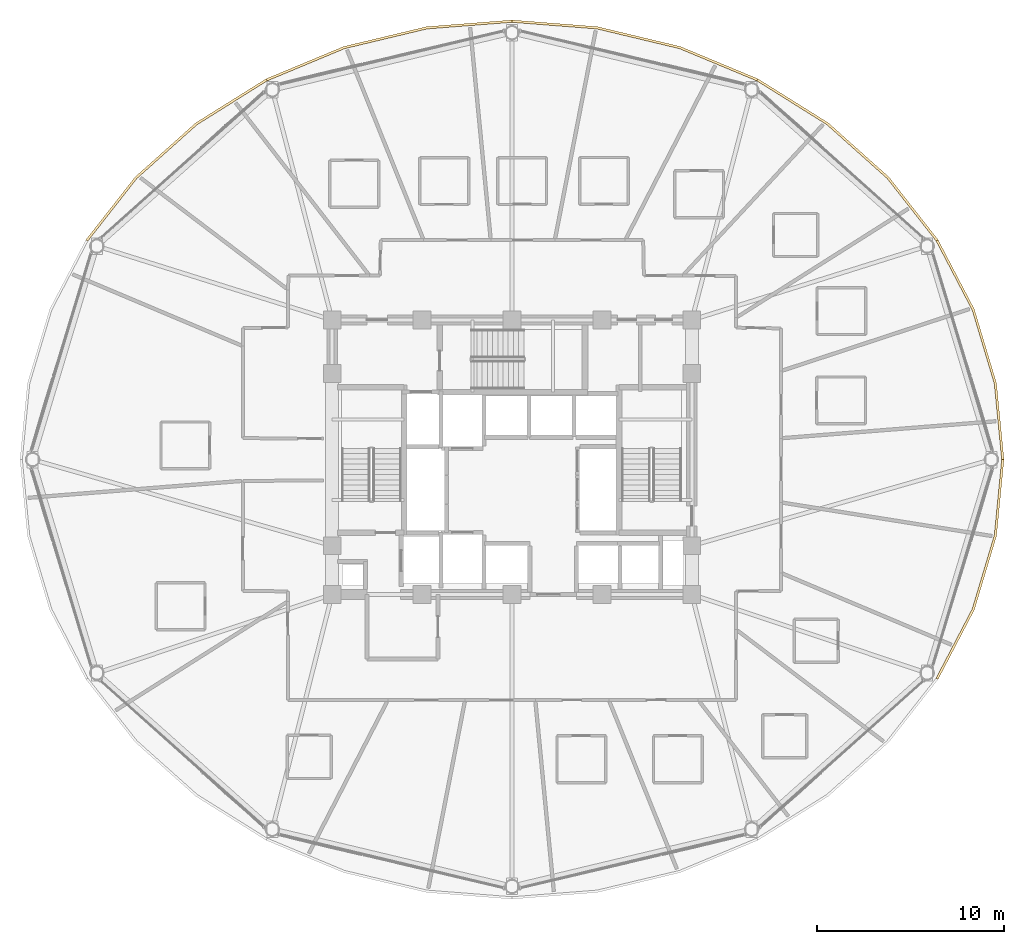
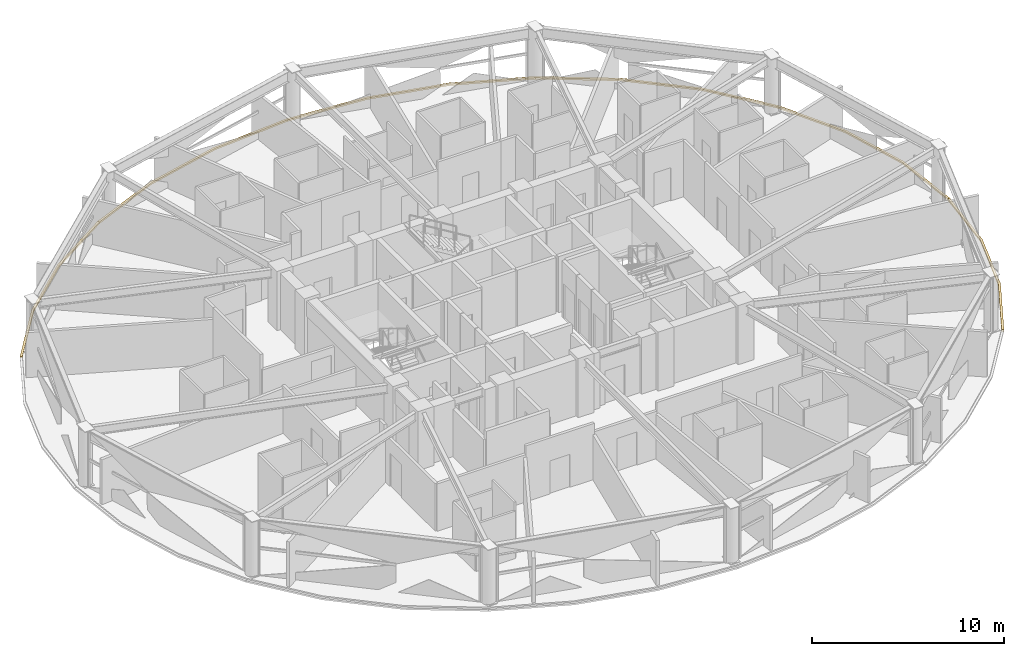
# One storey, part 32 of 32: 6 coverings.
"""IFC4 building model written with IfcOpenShell, lengths in metres."""

from ifc_helpers import new_model, si_unit, direction, frame, origin, place, context, subcontext, project, spatial, polyline, outline, extrude, material, layer, layer_set, type_object, element, save


model = new_model("IFC4")

# Units and contexts
model_context = context("Model", 3, precision=1e-05, world=origin(), true_north=direction((0.0, 1.0)))
body_context = subcontext(model_context, "Body", "Model", "MODEL_VIEW")
ifc_project = project(units=[si_unit("LENGTHUNIT", "METRE"), si_unit("AREAUNIT", "SQUARE_METRE"), si_unit("VOLUMEUNIT", "CUBIC_METRE"), si_unit("PLANEANGLEUNIT", "RADIAN"), si_unit("MASSUNIT", "GRAM", prefix="KILO")], contexts=[model_context])

# Site, building, storey
site_placement = place(None, origin())
site = spatial("IfcSite", under=ifc_project, at=site_placement, CompositionType="ELEMENT")
building_placement = place(site_placement, origin())
building = spatial("IfcBuilding", under=site, at=building_placement, Name="Vantalir Tower", CompositionType="ELEMENT")
storey_placement = place(building_placement, frame((0.0, 0.0, 100.949951171875)))
storey = spatial("IfcBuildingStorey", under=building, at=storey_placement, Name="L24", CompositionType="ELEMENT", Elevation=100.949951171875)

# Coverings
ifc_material = material(Name="Anodised champagne aluminium sill fascia", Category="aluminium")
ifc_layer = layer(ifc_material, 0.125)
ifc_layer_set = layer_set([ifc_layer], Name="Anodised champagne aluminium sill fascia")
covering_type = type_object("IfcCoveringType", Name="COV-SLAB-FASCIA-125", PredefinedType="CLADDING", material=ifc_layer_set)
covering_1_placement = place(storey_placement, frame((0.0, 0.0, -0.179931640625)))
element("IfcCovering", 1, at=covering_1_placement, inside=storey, type_object=covering_type, Name="L24 Perimeter Slab-Edge Sill Fascia 01", PredefinedType="CLADDING", context=body_context, shape_type="SweptSolid", body=[
    extrude(outline(polyline([(57.762939453125, 25.0), (57.364013671875, 29.073974609375), (56.178955078125, 33.02490234375), (54.243896484375, 36.73095703125), (54.135986328125, 36.6689453125), (56.06201171875, 32.98193359375), (57.240966796875, 29.052978515625), (57.637939453125, 25.0), (57.762939453125, 25.0)])), origin(), (0.0, 0.0, 1.0), 0.10498046875),
])
covering_2_placement = place(storey_placement, frame((0.0, 0.0, -0.179931640625)))
element("IfcCovering", 2, at=covering_2_placement, inside=storey, type_object=covering_type, Name="L24 Perimeter Slab-Edge Sill Fascia 02", PredefinedType="CLADDING", context=body_context, shape_type="SweptSolid", body=[
    extrude(outline(polyline([(54.243896484375, 36.73095703125), (51.618896484375, 40.08203125), (48.382080078125, 42.97412109375), (44.632080078125, 45.320068359375), (44.569091796875, 45.2109375), (48.301025390625, 42.8779296875), (51.52294921875, 40.0009765625), (54.135986328125, 36.6689453125), (54.243896484375, 36.73095703125)])), origin(), (0.0, 0.0, 1.0), 0.10498046875),
])
covering_3_placement = place(storey_placement, frame((0.0, 0.0, -0.179931640625)))
element("IfcCovering", 3, at=covering_3_placement, inside=storey, type_object=covering_type, Name="L24 Perimeter Slab-Edge Sill Fascia 03", PredefinedType="CLADDING", context=body_context, shape_type="SweptSolid", body=[
    extrude(outline(polyline([(44.632080078125, 45.320068359375), (40.48193359375, 47.048095703125), (36.06103515625, 48.10693359375), (31.5, 48.462890625), (31.5, 48.337890625), (36.0390625, 47.98291015625), (40.43994140625, 46.930908203125), (44.569091796875, 45.2109375), (44.632080078125, 45.320068359375)])), origin(), (0.0, 0.0, 1.0), 0.10498046875),
])
covering_4_placement = place(storey_placement, frame((0.0, 0.0, -0.179931640625)))
element("IfcCovering", 4, at=covering_4_placement, inside=storey, type_object=covering_type, Name="L24 Perimeter Slab-Edge Sill Fascia 04", PredefinedType="CLADDING", context=body_context, shape_type="SweptSolid", body=[
    extrude(outline(polyline([(31.5, 48.462890625), (26.93896484375, 48.10693359375), (22.51806640625, 47.048095703125), (18.368896484375, 45.320068359375), (18.430908203125, 45.2109375), (22.56005859375, 46.930908203125), (26.9609375, 47.98291015625), (31.5, 48.337890625), (31.5, 48.462890625)])), origin(), (0.0, 0.0, 1.0), 0.10498046875),
])
covering_5_placement = place(storey_placement, frame((0.0, 0.0, -0.179931640625)))
element("IfcCovering", 5, at=covering_5_placement, inside=storey, type_object=covering_type, Name="L24 Perimeter Slab-Edge Sill Fascia 05", PredefinedType="CLADDING", context=body_context, shape_type="SweptSolid", body=[
    extrude(outline(polyline([(18.368896484375, 45.320068359375), (14.617919921875, 42.97412109375), (11.381103515625, 40.08203125), (8.756103515625, 36.73095703125), (8.864013671875, 36.6689453125), (11.47705078125, 40.0009765625), (14.698974609375, 42.8779296875), (18.430908203125, 45.2109375), (18.368896484375, 45.320068359375)])), origin(), (0.0, 0.0, 1.0), 0.10498046875),
])
covering_6_placement = place(storey_placement, frame((0.0, 0.0, -0.179931640625)))
element("IfcCovering", 6, at=covering_6_placement, inside=storey, type_object=covering_type, Name="L24 Perimeter Slab-Edge Sill Fascia 12", PredefinedType="CLADDING", context=body_context, shape_type="SweptSolid", body=[
    extrude(outline(polyline([(54.243896484375, 13.26806640625), (56.178955078125, 16.97509765625), (57.364013671875, 20.926025390625), (57.762939453125, 25.0), (57.637939453125, 25.0), (57.240966796875, 20.947021484375), (56.06201171875, 17.01806640625), (54.135986328125, 13.3310546875), (54.243896484375, 13.26806640625)])), origin(), (0.0, 0.0, 1.0), 0.10498046875),
])

save(model, "model.ifc")
